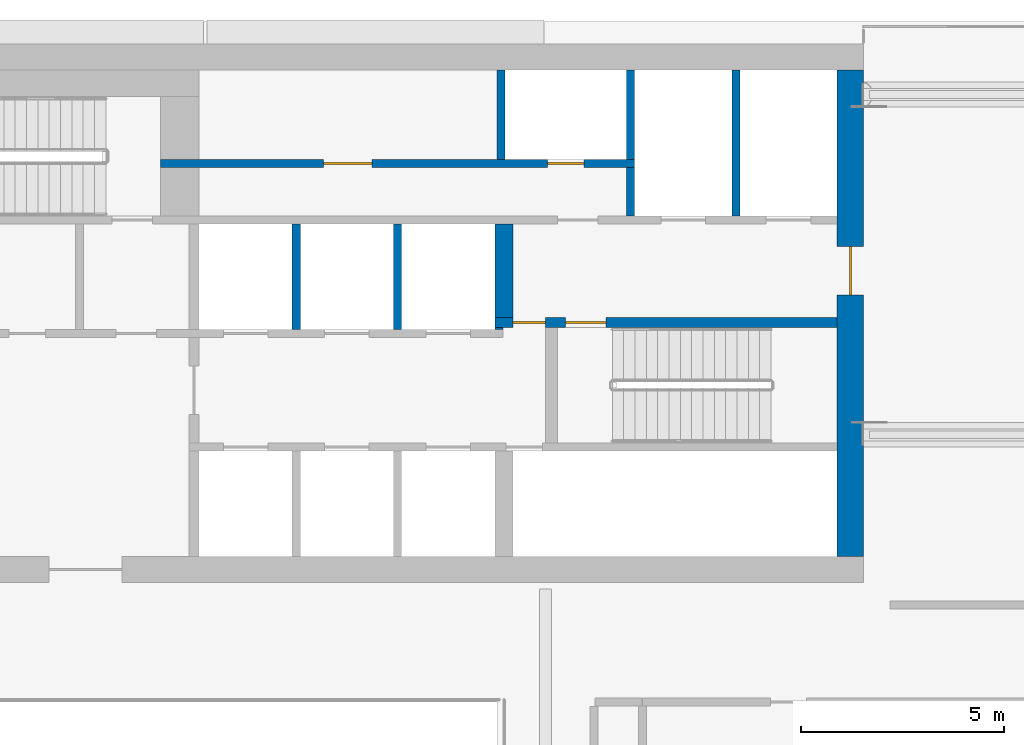
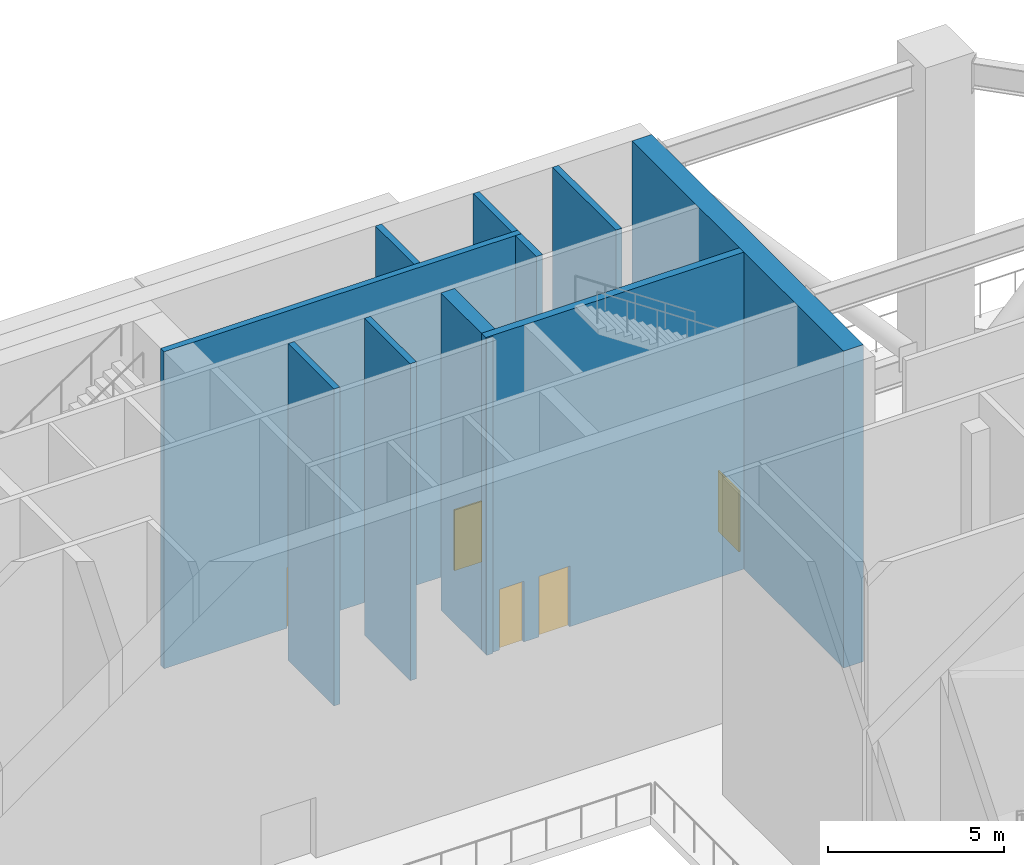
# One storey, part 7 of 19: 11 walls, 5 doors, 5 openings.
"""IFC4 building model written with IfcOpenShell, lengths in metres."""

from ifc_helpers import new_model, si_unit, direction, frame, frame_2d, origin, place, context, subcontext, project, spatial, rectangle, extrude, material, layer, layer_set, type_object, element, fill, save


model = new_model("IFC4")

# Units and contexts
model_context = context("Model", 3, precision=1e-05, world=origin(), true_north=direction((0.0, 1.0)))
body_context = subcontext(model_context, "Body", "Model", "MODEL_VIEW")
ifc_project = project(units=[si_unit("LENGTHUNIT", "METRE"), si_unit("AREAUNIT", "SQUARE_METRE"), si_unit("VOLUMEUNIT", "CUBIC_METRE"), si_unit("PLANEANGLEUNIT", "RADIAN"), si_unit("MASSUNIT", "GRAM", prefix="KILO")], contexts=[model_context])

# Site, building, storey
site_placement = place(None, origin())
site = spatial("IfcSite", under=ifc_project, at=site_placement, CompositionType="ELEMENT")
building_placement = place(site_placement, origin())
building = spatial("IfcBuilding", under=site, at=building_placement, Name="Saffron Gate Tower", CompositionType="ELEMENT")
storey_placement = place(building_placement, frame((0.0, 0.0, 194.25)))
storey = spatial("IfcBuildingStorey", under=building, at=storey_placement, Name="L48", CompositionType="ELEMENT", Elevation=194.25)

# Wall, openings, doors
ifc_material_1 = material(Name="Concrete C60", Category="concrete")
ifc_layer_1 = layer(ifc_material_1, 0.25)
ifc_layer_set_1 = layer_set([ifc_layer_1], Name="CW14 RC core wall 250 C60")
wall_type_1 = type_object("IfcWallType", Name="CW14 RC core wall 250 C60", PredefinedType="SOLIDWALL", material=ifc_layer_set_1)
wall_1_placement = place(storey_placement, frame((98.949951171875, 68.175048828125, 0.0), z_axis=(0.0, 0.0, 1.0), x_axis=(1.0, 0.0, 0.0)))
wall_1 = element("IfcWall", 1, at=wall_1_placement, inside=storey, type_object=wall_type_1, Name="Wall CW14-L48-30", PredefinedType="SOLIDWALL", context=body_context, shape_type="SweptSolid", body=[
    extrude(rectangle(XDim=8.449951171875, YDim=0.25, at=frame_2d((4.22509765625, 0.0))), origin(), (0.0, 0.0, 1.0), 10.969970703125),
])
opening_1_placement = place(wall_1_placement, frame((0.449951171875, 0.0, 0.0)))
opening_1 = element("IfcOpeningElement", 2, at=opening_1_placement, cuts=wall_1, Name="Opening CR-05", PredefinedType="OPENING", context=body_context, shape_type="SweptSolid", body=[
    extrude(rectangle(XDim=0.800048828125, YDim=2.10009765625, at=frame_2d((0.39990234375, 1.050048828125))), frame((0.0, 0.135009765625, 0.0), z_axis=(0.0, -1.0, 0.0), x_axis=(1.0, 0.0, 0.0)), (0.0, 0.0, 1.0), 0.27001953125),
])
opening_2_placement = place(wall_1_placement, frame((1.75, 0.0, 0.0)))
opening_2 = element("IfcOpeningElement", 3, at=opening_2_placement, cuts=wall_1, Name="Opening CR-16", PredefinedType="OPENING", context=body_context, shape_type="SweptSolid", body=[
    extrude(rectangle(XDim=1.0, YDim=2.10009765625, at=frame_2d((0.5, 1.050048828125))), frame((0.0, 0.135009765625, 0.0), z_axis=(0.0, -1.0, 0.0), x_axis=(1.0, 0.0, 0.0)), (0.0, 0.0, 1.0), 0.27001953125),
])
ifc_material_2 = material(Name="Steel fire door set", Category="steel")
door_type_1 = type_object("IfcDoorType", Name="CD5 Stair door 1000x2100 EI 120", OperationType="NOTDEFINED", PredefinedType="DOOR", material=ifc_material_2)
door_1_placement = place(opening_2_placement, origin())
door_1 = element("IfcDoor", 4, at=door_1_placement, inside=storey, type_object=door_type_1, Name="DOOR CR-16", OperationType="SINGLE_SWING_RIGHT", OverallHeight=2.10009765625, OverallWidth=1.0, PredefinedType="DOOR", context=body_context, shape_type="SweptSolid", body=[
    extrude(rectangle(XDim=1.0, YDim=2.10009765625, at=frame_2d((0.5, 1.050048828125))), frame((0.0, 0.02490234375, 0.0), z_axis=(0.0, -1.0, 0.0), x_axis=(1.0, 0.0, 0.0)), (0.0, 0.0, 1.0), 0.050048828125),
])
fill(opening_2, door_1)
door_type_2 = type_object("IfcDoorType", Name="CD6 Lobby door 800x2100 EI 120", OperationType="NOTDEFINED", PredefinedType="DOOR", material=ifc_material_2)
door_2_placement = place(opening_1_placement, origin())
door_2 = element("IfcDoor", 5, at=door_2_placement, inside=storey, type_object=door_type_2, Name="DOOR CR-05", OperationType="SINGLE_SWING_LEFT", OverallHeight=2.10009765625, OverallWidth=0.800048828125, PredefinedType="DOOR", context=body_context, shape_type="SweptSolid", body=[
    extrude(rectangle(XDim=0.800048828125, YDim=2.10009765625, at=frame_2d((0.39990234375, 1.050048828125))), frame((0.0, 0.02490234375, 0.0), z_axis=(0.0, -1.0, 0.0), x_axis=(1.0, 0.0, 0.0)), (0.0, 0.0, 1.0), 0.050048828125),
])
fill(opening_1, door_2)

# Walls
ifc_layer_2 = layer(ifc_material_1, 0.199951171875)
ifc_layer_set_2 = layer_set([ifc_layer_2], Name="CW15 RC core wall 200 C60")
wall_type_2 = type_object("IfcWallType", Name="CW15 RC core wall 200 C60", PredefinedType="SOLIDWALL", material=ifc_layer_set_2)
for number, where, z_axis, x_axis, name in (
    (6, (94.050048828125, 68.0, 0.0), (0.0, 0.0, 1.0), (0.0, 1.0, 0.0), "Wall CW15-L48-26"),
    (7, (96.550048828125, 68.0, 0.0), (0.0, 0.0, 1.0), (0.0, 1.0, 0.0), "Wall CW15-L48-27"),
):
    element("IfcWall", number, at=place(storey_placement, frame(where, z_axis=z_axis, x_axis=x_axis)), inside=storey, type_object=wall_type_2, Name=name, PredefinedType="SOLIDWALL", context=body_context, shape_type="SweptSolid", body=[
        extrude(rectangle(XDim=2.60009765625, YDim=0.199951171875, at=frame_2d((1.300048828125, 0.0))), origin(), (0.0, 0.0, 1.0), 10.969970703125),
    ])
wall_2_placement = place(storey_placement, frame((102.300048828125, 70.800048828125, 0.0), z_axis=(0.0, 0.0, 1.0), x_axis=(0.0, 1.0, 0.0)))
element("IfcWall", 8, at=wall_2_placement, inside=storey, type_object=wall_type_2, Name="Wall CW15-L48-38", PredefinedType="SOLIDWALL", context=body_context, shape_type="SweptSolid", body=[
    extrude(rectangle(XDim=1.199951171875, YDim=0.199951171875, at=frame_2d((0.60009765625, 0.0))), origin(), (0.0, 0.0, 1.0), 10.969970703125),
])
wall_3_placement = place(storey_placement, frame((104.89990234375, 70.800048828125, 0.0), z_axis=(0.0, 0.0, 1.0), x_axis=(0.0, 1.0, 0.0)))
element("IfcWall", 9, at=wall_3_placement, inside=storey, type_object=wall_type_2, Name="Wall CW15-L48-39", PredefinedType="SOLIDWALL", context=body_context, shape_type="SweptSolid", body=[
    extrude(rectangle(XDim=3.599853515625, YDim=0.199951171875, at=frame_2d((1.7998046875, 0.0))), origin(), (0.0, 0.0, 1.0), 10.969970703125),
])

# Wall, openings, doors
wall_4_placement = place(storey_placement, frame((90.699951171875, 72.10009765625, 0.0), z_axis=(0.0, 0.0, 1.0), x_axis=(1.0, 0.0, 0.0)))
wall_4 = element("IfcWall", 10, at=wall_4_placement, inside=storey, type_object=wall_type_2, Name="Wall CW15-L48-41", PredefinedType="SOLIDWALL", context=body_context, shape_type="SweptSolid", body=[
    extrude(rectangle(XDim=11.699951171875, YDim=0.199951171875, at=frame_2d((5.85009765625, 0.0))), origin(), (0.0, 0.0, 1.0), 10.969970703125),
])
opening_3_placement = place(wall_4_placement, frame((4.02490234375, 0.0, 0.0)))
opening_3 = element("IfcOpeningElement", 11, at=opening_3_placement, cuts=wall_4, Name="Opening CR-52", PredefinedType="OPENING", context=body_context, shape_type="SweptSolid", body=[
    extrude(rectangle(XDim=1.199951171875, YDim=2.10009765625, at=frame_2d((0.60009765625, 1.050048828125))), frame((0.0, 0.10986328125, 0.0), z_axis=(0.0, -1.0, 0.0), x_axis=(1.0, 0.0, 0.0)), (0.0, 0.0, 1.0), 0.219970703125),
])
opening_4_placement = place(wall_4_placement, frame((9.550048828125, 0.0, 0.0)))
opening_4 = element("IfcOpeningElement", 12, at=opening_4_placement, cuts=wall_4, Name="Opening CR-70", PredefinedType="OPENING", context=body_context, shape_type="SweptSolid", body=[
    extrude(rectangle(XDim=0.89990234375, YDim=2.10009765625, at=frame_2d((0.449951171875, 1.050048828125))), frame((0.0, 0.10986328125, 0.0), z_axis=(0.0, -1.0, 0.0), x_axis=(1.0, 0.0, 0.0)), (0.0, 0.0, 1.0), 0.219970703125),
])
door_type_3 = type_object("IfcDoorType", Name="CD10 Room door 1200x2100 EI 60", OperationType="NOTDEFINED", PredefinedType="DOOR", material=ifc_material_2)
door_3_placement = place(opening_3_placement, origin())
door_3 = element("IfcDoor", 13, at=door_3_placement, inside=storey, type_object=door_type_3, Name="DOOR CR-52", OperationType="SINGLE_SWING_LEFT", OverallHeight=2.10009765625, OverallWidth=1.199951171875, PredefinedType="DOOR", context=body_context, shape_type="SweptSolid", body=[
    extrude(rectangle(XDim=1.199951171875, YDim=2.10009765625, at=frame_2d((0.60009765625, 1.050048828125))), frame((0.0, 0.02490234375, 0.0), z_axis=(0.0, -1.0, 0.0), x_axis=(1.0, 0.0, 0.0)), (0.0, 0.0, 1.0), 0.050048828125),
])
fill(opening_3, door_3)
door_type_4 = type_object("IfcDoorType", Name="CD2 Riser door 900x2100 EI 60", OperationType="NOTDEFINED", PredefinedType="DOOR", material=ifc_material_2)
door_4_placement = place(opening_4_placement, origin())
door_4 = element("IfcDoor", 14, at=door_4_placement, inside=storey, type_object=door_type_4, Name="DOOR CR-70", OperationType="SINGLE_SWING_LEFT", OverallHeight=2.10009765625, OverallWidth=0.89990234375, PredefinedType="DOOR", context=body_context, shape_type="SweptSolid", body=[
    extrude(rectangle(XDim=0.89990234375, YDim=2.10009765625, at=frame_2d((0.449951171875, 1.050048828125))), frame((0.0, 0.02490234375, 0.0), z_axis=(0.0, -1.0, 0.0), x_axis=(1.0, 0.0, 0.0)), (0.0, 0.0, 1.0), 0.050048828125),
])
fill(opening_4, door_4)

# Walls
for number, where, z_axis, x_axis, name in (
    (15, (99.10009765625, 72.199951171875, 0.0), (0.0, 0.0, 1.0), (0.0, 1.0, 0.0), "Wall CW15-L48-46"),
    (16, (102.300048828125, 72.199951171875, 0.0), (0.0, 0.0, 1.0), (0.0, 1.0, 0.0), "Wall CW15-L48-47"),
):
    element("IfcWall", number, at=place(storey_placement, frame(where, z_axis=z_axis, x_axis=x_axis)), inside=storey, type_object=wall_type_2, Name=name, PredefinedType="SOLIDWALL", context=body_context, shape_type="SweptSolid", body=[
        extrude(rectangle(XDim=2.199951171875, YDim=0.199951171875, at=frame_2d((1.10009765625, 0.0))), origin(), (0.0, 0.0, 1.0), 10.969970703125),
    ])
ifc_layer_3 = layer(ifc_material_1, 0.449951171875)
ifc_layer_set_3 = layer_set([ifc_layer_3], Name="CW16 RC core wall 450 C60")
wall_type_3 = type_object("IfcWallType", Name="CW16 RC core wall 450 C60", PredefinedType="SOLIDWALL", material=ifc_layer_set_3)
wall_5_placement = place(storey_placement, frame((99.175048828125, 68.300048828125, 0.0), z_axis=(0.0, 0.0, 1.0), x_axis=(0.0, 1.0, 0.0)))
element("IfcWall", 17, at=wall_5_placement, inside=storey, type_object=wall_type_3, Name="Wall CW16-L48-32", PredefinedType="SOLIDWALL", context=body_context, shape_type="SweptSolid", body=[
    extrude(rectangle(XDim=2.300048828125, YDim=0.449951171875, at=frame_2d((1.14990234375, 0.0))), origin(), (0.0, 0.0, 1.0), 10.969970703125),
])
ifc_layer_4 = layer(ifc_material_1, 0.050048828125)
ifc_layer_set_4 = layer_set([ifc_layer_4], Name="CW18 RC core wall 50 C60")
wall_type_4 = type_object("IfcWallType", Name="CW18 RC core wall 50 C60", PredefinedType="SOLIDWALL", material=ifc_layer_set_4)
wall_6_placement = place(storey_placement, frame((98.949951171875, 68.02490234375, 0.0), z_axis=(0.0, 0.0, 1.0), x_axis=(1.0, 0.0, 0.0)))
element("IfcWall", 18, at=wall_6_placement, inside=storey, type_object=wall_type_4, Name="Wall CW18-L48-28", PredefinedType="SOLIDWALL", context=body_context, shape_type="SweptSolid", body=[
    extrude(rectangle(XDim=0.199951171875, YDim=0.050048828125, at=frame_2d((0.10009765625, 0.0))), origin(), (0.0, 0.0, 1.0), 10.969970703125),
])

# Wall, opening, door
ifc_layer_5 = layer(ifc_material_1, 0.64990234375)
ifc_layer_set_5 = layer_set([ifc_layer_5], Name="CW20 RC core wall 650 C60")
wall_type_5 = type_object("IfcWallType", Name="CW20 RC core wall 650 C60", PredefinedType="SOLIDWALL", material=ifc_layer_set_5)
wall_7_placement = place(storey_placement, frame((107.72509765625, 62.39990234375, 0.0), z_axis=(0.0, 0.0, 1.0), x_axis=(0.0, 1.0, 0.0)))
wall_7 = element("IfcWall", 19, at=wall_7_placement, inside=storey, type_object=wall_type_5, Name="Wall CW20-L48-4", PredefinedType="SOLIDWALL", context=body_context, shape_type="SweptSolid", body=[
    extrude(rectangle(XDim=12.0, YDim=0.64990234375, at=frame_2d((6.0, 0.0))), origin(), (0.0, 0.0, 1.0), 10.969970703125),
])
opening_5_placement = place(wall_7_placement, frame((6.449951171875, 0.0, 0.0)))
opening_5 = element("IfcOpeningElement", 20, at=opening_5_placement, cuts=wall_7, Name="Opening CR-08", PredefinedType="OPENING", context=body_context, shape_type="SweptSolid", body=[
    extrude(rectangle(XDim=1.199951171875, YDim=2.10009765625, at=frame_2d((0.60009765625, 1.050048828125))), frame((0.0, 0.3349609375, 0.0), z_axis=(0.0, -1.0, 0.0), x_axis=(1.0, 0.0, 0.0)), (0.0, 0.0, 1.0), 0.669921875),
])
door_type_5 = type_object("IfcDoorType", Name="CD7 Core entrance door 1200x2100 EI 120", OperationType="NOTDEFINED", PredefinedType="DOOR", material=ifc_material_2)
door_5_placement = place(opening_5_placement, origin())
door_5 = element("IfcDoor", 21, at=door_5_placement, inside=storey, type_object=door_type_5, Name="DOOR CR-08", OperationType="SINGLE_SWING_RIGHT", OverallHeight=2.10009765625, OverallWidth=1.199951171875, PredefinedType="DOOR", context=body_context, shape_type="SweptSolid", body=[
    extrude(rectangle(XDim=1.199951171875, YDim=2.10009765625, at=frame_2d((0.60009765625, 1.050048828125))), frame((0.0, 0.02490234375, 0.0), z_axis=(0.0, -1.0, 0.0), x_axis=(1.0, 0.0, 0.0)), (0.0, 0.0, 1.0), 0.050048828125),
])
fill(opening_5, door_5)

save(model, "model.ifc")
